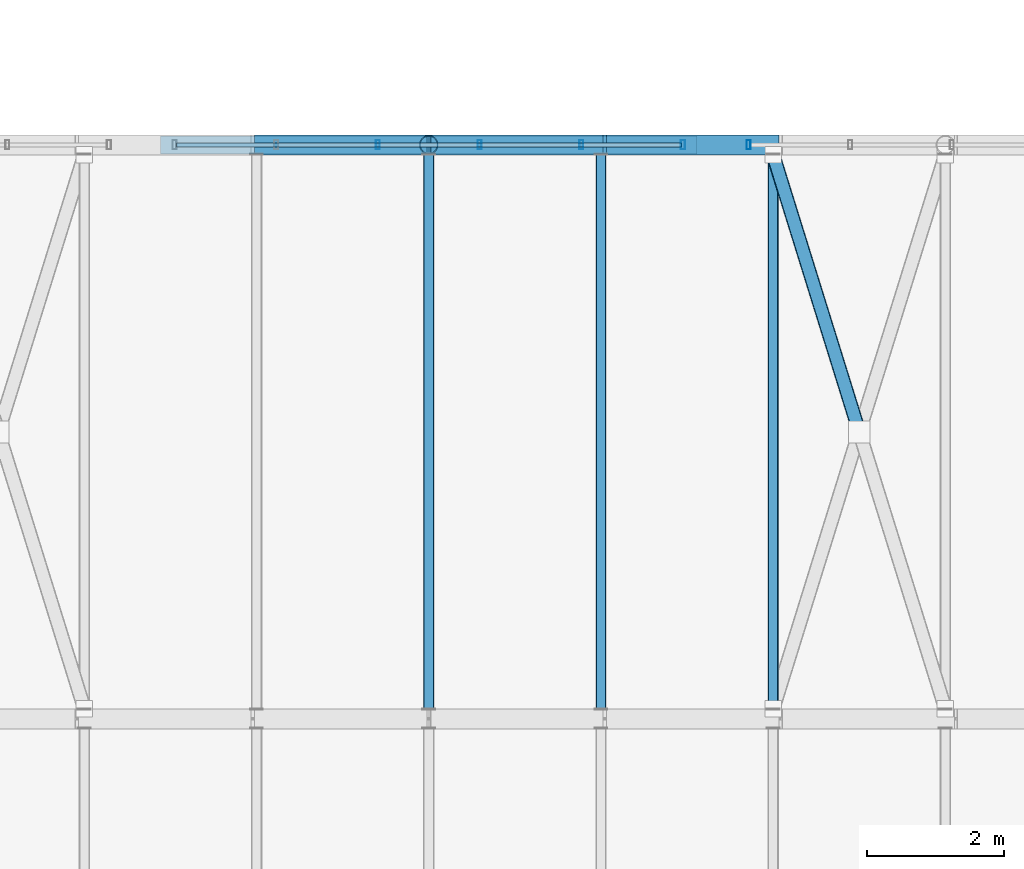
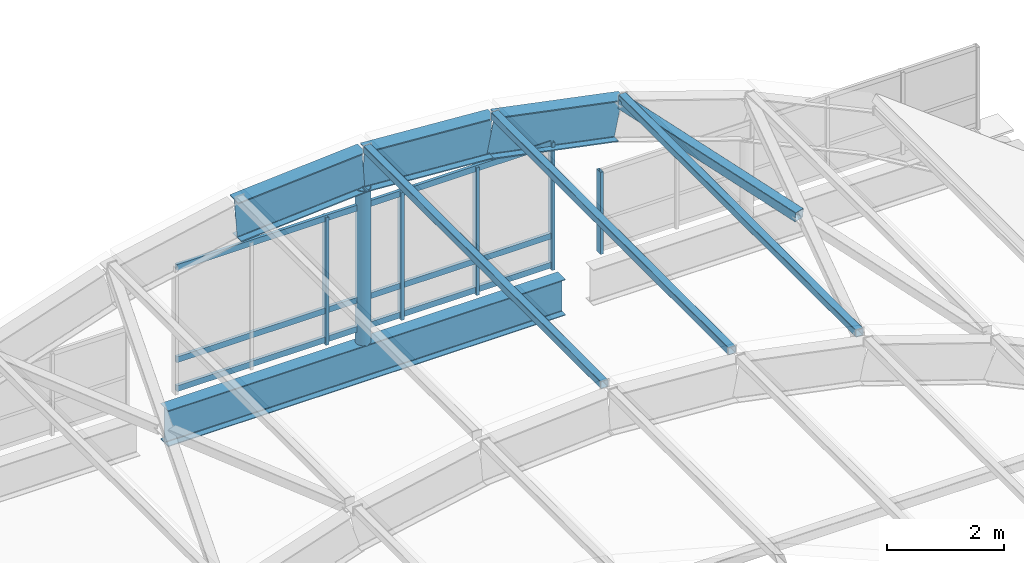
# One storey, part 70 of 107: 13 members, 4 beams, 2 elements without a shape of their own.
"""IFC4 building model written with IfcOpenShell, lengths in metres."""

from ifc_helpers import new_model, si_unit, direction, frame, origin, origin_2d, place, context, subcontext, project, spatial, hollow_rectangle, hollow_circle, i_section, extrude, material, layer, layer_set, material_profile, profile_set, type_object, element, aggregate, save


model = new_model("IFC4")

# Units and contexts
model_context = context("Model", 3, precision=1e-05, world=origin(), true_north=direction((0.0, 1.0)))
body_context = subcontext(model_context, "Body", "Model", "MODEL_VIEW")
ifc_project = project(units=[si_unit("LENGTHUNIT", "METRE"), si_unit("AREAUNIT", "SQUARE_METRE"), si_unit("VOLUMEUNIT", "CUBIC_METRE"), si_unit("PLANEANGLEUNIT", "RADIAN"), si_unit("MASSUNIT", "GRAM", prefix="KILO")], contexts=[model_context])

# Site, building, storey
site_placement = place(None, origin())
site = spatial("IfcSite", under=ifc_project, at=site_placement, CompositionType="ELEMENT")
building_placement = place(site_placement, origin())
building = spatial("IfcBuilding", under=site, at=building_placement, Name="Vireocrest Preparatory School", CompositionType="ELEMENT")
storey_placement = place(building_placement, frame((0.0, 0.0, 13.199951171875)))
storey = spatial("IfcBuildingStorey", under=building, at=storey_placement, Name="L03", CompositionType="ELEMENT", Elevation=13.199951171875)

# Beams
ifc_material_1 = material(Name="Structural steel ASTM A992 Grade 50", Category="steel")
ifc_material_profile_1 = material_profile(ifc_material_1, i_section(OverallWidth=0.2919921875, OverallDepth=0.841064453125, WebThickness=0.0146484375, FlangeThickness=0.021728515625, FilletRadius=0.02001953125, at=origin_2d()), Name="W33X130")
ifc_profile_set_1 = profile_set([ifc_material_profile_1], Name="Structural steel ASTM A992 Grade 50")
beam_type_1 = type_object("IfcBeamType", Name="Assembly Hall Barrel Vault Arch Rib W33X130", PredefinedType="BEAM", material=ifc_profile_set_1)
for number, where, z_axis, x_axis, name in (
    (1, (152.8798828125, 52.199951171875, 3.227783203125), (0.997535619159, 0.0, 0.07016187362), (0.0, 1.0, 0.0), "Assembly Hall Barrel Vault Roof Arch Rib 5 Seg 5"),
    (2, (155.39990234375, 52.199951171875, 3.405029296875), (0.997535619159, 0.0, -0.07016187362), (0.0, 1.0, 0.0), "Assembly Hall Barrel Vault Roof Arch Rib 5 Seg 6"),
):
    element("IfcBeam", number, at=place(storey_placement, frame(where, z_axis=z_axis, x_axis=x_axis)), inside=storey, type_object=beam_type_1, Name=name, PredefinedType="BEAM", context=body_context, shape_type="SweptSolid", body=[
        extrude(i_section(OverallWidth=0.2919921875, OverallDepth=0.841064453125, WebThickness=0.0146484375, FlangeThickness=0.021728515625, FilletRadius=0.02001953125, at=origin_2d()), origin(), (0.0, 0.0, 1.0), 2.5263671875),
    ])
beam_1_placement = place(storey_placement, frame((157.919921875, 52.199951171875, 3.220458984375), z_axis=(0.979999472213, 0.0, -0.199000086588), x_axis=(0.0, 1.0, 0.0)))
element("IfcBeam", 3, at=beam_1_placement, inside=storey, type_object=beam_type_1, Name="Assembly Hall Barrel Vault Roof Arch Rib 5 Seg 7", PredefinedType="BEAM", context=body_context, shape_type="SweptSolid", body=[
    extrude(i_section(OverallWidth=0.2919921875, OverallDepth=0.841064453125, WebThickness=0.0146484375, FlangeThickness=0.021728515625, FilletRadius=0.02001953125, at=origin_2d()), origin(), (0.0, 0.0, 1.0), 2.571533203125),
])
ifc_material_profile_2 = material_profile(ifc_material_1, i_section(OverallWidth=0.264892578125, OverallDepth=0.7529296875, WebThickness=0.01318359375, FlangeThickness=0.01708984375, FilletRadius=0.01904296875, at=origin_2d()), Name="W30X99")
ifc_profile_set_2 = profile_set([ifc_material_profile_2], Name="Structural steel ASTM A992 Grade 50")
beam_type_2 = type_object("IfcBeamType", Name="Assembly Hall Vault Ring Beam W30X99", PredefinedType="BEAM", material=ifc_profile_set_2)
beam_2_placement = place(storey_placement, frame((151.47509765625, 52.199951171875, -0.596435546875), z_axis=(1.0, 0.0, 0.0), x_axis=(0.0, 1.0, 0.0)))
element("IfcBeam", 4, at=beam_2_placement, inside=storey, type_object=beam_type_2, Name="Assembly Hall Barrel Vault Roof Gable Ring Beam N-2", PredefinedType="BEAM", context=body_context, shape_type="SweptSolid", body=[
    extrude(i_section(OverallWidth=0.264892578125, OverallDepth=0.7529296875, WebThickness=0.01318359375, FlangeThickness=0.01708984375, FilletRadius=0.01904296875, at=origin_2d()), origin(), (0.0, 0.0, 1.0), 7.849853515625),
])

# Members
ifc_material_2 = material(Name="Structural steel ASTM A500 Grade C", Category="steel")
ifc_material_profile_3 = material_profile(ifc_material_2, hollow_rectangle(XDim=0.15234375, YDim=0.15234375, WallThickness=0.0087890625, InnerFilletRadius=0.0087890625, OuterFilletRadius=0.017822265625, at=origin_2d()), Name="HSS6X6X3/8")
ifc_profile_set_3 = profile_set([ifc_material_profile_3], Name="Structural steel ASTM A500 Grade C")
member_type_1 = type_object("IfcMemberType", Name="Barrel Vault Steel Purlin HSS6X6X3/8", PredefinedType="PURLIN", material=ifc_profile_set_3)
for number, where, z_axis, x_axis, name in (
    (5, (155.39990234375, 43.94091796875, 3.890869140625), (0.0, 1.0, 0.0), (-1.0, 0.0, 0.0), "Assembly Hall Barrel Vault Roof Purlin 4-6"),
    (6, (157.919921875, 43.94091796875, 3.71337890625), (0.0, 1.0, 0.0), (-1.0, 0.0, 0.0), "Assembly Hall Barrel Vault Roof Purlin 4-7"),
    (7, (160.43994140625, 43.94091796875, 3.20166015625), (0.0, 1.0, 0.0), (-1.0, 0.0, 0.0), "Assembly Hall Barrel Vault Roof Purlin 4-8"),
):
    element("IfcMember", number, at=place(storey_placement, frame(where, z_axis=z_axis, x_axis=x_axis)), inside=storey, type_object=member_type_1, Name=name, PredefinedType="PURLIN", context=body_context, shape_type="SweptSolid", body=[
        extrude(hollow_rectangle(XDim=0.15234375, YDim=0.15234375, WallThickness=0.0087890625, InnerFilletRadius=0.0087890625, OuterFilletRadius=0.017822265625, at=origin_2d()), origin(), (0.0, 0.0, 1.0), 8.1181640625),
    ])

# Curtain wall, members
ifc_material_3 = material(Name="Thermally broken aluminium EN AW-6063-T6", Category="aluminium")
ifc_layer_1 = layer(ifc_material_3, 0.179931640625)
ifc_layer_set_1 = layer_set([ifc_layer_1], Name="Thermally broken aluminium EN AW-6063-T6")
curtain_wall_type_1 = type_object("IfcCurtainWallType", Name="Vault Centre Gable Clerestory 8400x3800", PredefinedType="USERDEFINED", material=ifc_layer_set_1)
curtain_wall_1_placement = place(storey_placement, origin())
curtain_wall_1 = element("IfcCurtainWall", 8, at=curtain_wall_1_placement, inside=storey, type_object=curtain_wall_type_1, Name="Curtain Wall CW14 CW_L03_CW14_1516_0522_132", ObjectType="CURTAIN WALL", PredefinedType="USERDEFINED")
ifc_material_profile_4 = material_profile(ifc_material_3, hollow_rectangle(XDim=0.06005859375, YDim=0.135009765625, WallThickness=0.00390625, at=origin_2d()), Name="ALU 60x135x4")
ifc_profile_set_4 = profile_set([ifc_material_profile_4], Name="Thermally broken aluminium EN AW-6063-T6")
member_type_2 = type_object("IfcMemberType", Name="CW Clerestory Mullion 60x135x4", PredefinedType="MULLION", material=ifc_profile_set_4)
member_1_placement = place(storey_placement, frame((154.656005859375, 52.199951171875, 0.0), z_axis=(0.0, 0.0, 1.0), x_axis=(1.0, 0.0, 0.0)))
member_1 = element("IfcMember", 9, at=member_1_placement, type_object=member_type_2, Name="CW Mullion ML6 CW_L03_CW14_1516_0522_132-3", PredefinedType="MULLION", context=body_context, shape_type="SweptSolid", body=[
    extrude(hollow_rectangle(XDim=0.06005859375, YDim=0.135009765625, WallThickness=0.00390625, at=origin_2d()), origin(), (0.0, 0.0, 1.0), 2.6650390625),
])
member_2_placement = place(storey_placement, frame((156.14404296875, 52.199951171875, 0.0), z_axis=(0.0, 0.0, 1.0), x_axis=(1.0, 0.0, 0.0)))
member_2 = element("IfcMember", 10, at=member_2_placement, type_object=member_type_2, Name="CW Mullion ML6 CW_L03_CW14_1516_0522_132-4", PredefinedType="MULLION", context=body_context, shape_type="SweptSolid", body=[
    extrude(hollow_rectangle(XDim=0.06005859375, YDim=0.135009765625, WallThickness=0.00390625, at=origin_2d()), origin(), (0.0, 0.0, 1.0), 2.6650390625),
])
member_3_placement = place(storey_placement, frame((157.632080078125, 52.199951171875, 0.0), z_axis=(0.0, 0.0, 1.0), x_axis=(1.0, 0.0, 0.0)))
member_3 = element("IfcMember", 11, at=member_3_placement, type_object=member_type_2, Name="CW Mullion ML6 CW_L03_CW14_1516_0522_132-5", PredefinedType="MULLION", context=body_context, shape_type="SweptSolid", body=[
    extrude(hollow_rectangle(XDim=0.06005859375, YDim=0.135009765625, WallThickness=0.00390625, at=origin_2d()), origin(), (0.0, 0.0, 1.0), 2.6650390625),
])
member_4_placement = place(storey_placement, frame((159.1201171875, 52.199951171875, 0.0), z_axis=(0.0, 0.0, 1.0), x_axis=(1.0, 0.0, 0.0)))
member_4 = element("IfcMember", 12, at=member_4_placement, type_object=member_type_2, Name="CW Mullion ML6 CW_L03_CW14_1516_0522_132-6", PredefinedType="MULLION", context=body_context, shape_type="SweptSolid", body=[
    extrude(hollow_rectangle(XDim=0.06005859375, YDim=0.135009765625, WallThickness=0.00390625, at=origin_2d()), origin(), (0.0, 0.0, 1.0), 2.6650390625),
])

# Curtain wall, member
ifc_layer_2 = layer(ifc_material_3, 0.179931640625)
ifc_layer_set_2 = layer_set([ifc_layer_2], Name="Thermally broken aluminium EN AW-6063-T6")
curtain_wall_type_2 = type_object("IfcCurtainWallType", Name="Vault Gable Clerestory 8400x2600", PredefinedType="USERDEFINED", material=ifc_layer_set_2)
curtain_wall_2_placement = place(storey_placement, origin())
curtain_wall_2 = element("IfcCurtainWall", 13, at=curtain_wall_2_placement, inside=storey, type_object=curtain_wall_type_2, Name="Curtain Wall CW13 CW_L03_CW13_1600_0522_132", ObjectType="CURTAIN WALL", PredefinedType="USERDEFINED")
member_5_placement = place(storey_placement, frame((160.080078125, 52.199951171875, 0.0), z_axis=(0.0, 0.0, 1.0), x_axis=(1.0, 0.0, 0.0)))
member_5 = element("IfcMember", 14, at=member_5_placement, type_object=member_type_2, Name="CW Mullion ML6 CW_L03_CW13_1600_0522_132-1", PredefinedType="MULLION", context=body_context, shape_type="SweptSolid", body=[
    extrude(hollow_rectangle(XDim=0.06005859375, YDim=0.135009765625, WallThickness=0.00390625, at=origin_2d()), origin(), (0.0, 0.0, 1.0), 1.715087890625),
])
aggregate(curtain_wall_2, [member_5])

# Member
ifc_material_profile_5 = material_profile(ifc_material_3, hollow_rectangle(XDim=0.06005859375, YDim=0.125, WallThickness=0.00390625, at=origin_2d()), Name="ALU 60x125x4")
ifc_profile_set_5 = profile_set([ifc_material_profile_5], Name="Thermally broken aluminium EN AW-6063-T6")
member_type_3 = type_object("IfcMemberType", Name="CW Clerestory Transom 60x125x4", PredefinedType="USERDEFINED", material=ifc_profile_set_5)
member_6_placement = place(storey_placement, frame((151.705078125, 52.199951171875, 0.094970703125), z_axis=(1.0, 0.0, 0.0), x_axis=(0.0, 1.0, 0.0)))
member_6 = element("IfcMember", 15, at=member_6_placement, type_object=member_type_3, Name="CW Transom TR6 CW_L03_CW14_1516_0522_132-1", ObjectType="TRANSOM", PredefinedType="USERDEFINED", context=body_context, shape_type="SweptSolid", body=[
    extrude(hollow_rectangle(XDim=0.06005859375, YDim=0.125, WallThickness=0.00390625, at=origin_2d()), origin(), (0.0, 0.0, 1.0), 7.389892578125),
])

member_7_placement = place(storey_placement, frame((151.705078125, 52.199951171875, 0.699951171875), z_axis=(1.0, 0.0, 0.0), x_axis=(0.0, 1.0, 0.0)))
member_7 = element("IfcMember", 16, at=member_7_placement, type_object=member_type_3, Name="CW Transom TR6 CW_L03_CW14_1516_0522_132-2", ObjectType="TRANSOM", PredefinedType="USERDEFINED", context=body_context, shape_type="SweptSolid", body=[
    extrude(hollow_rectangle(XDim=0.06005859375, YDim=0.125, WallThickness=0.00390625, at=origin_2d()), origin(), (0.0, 0.0, 1.0), 7.389892578125),
])

member_8_placement = place(storey_placement, frame((151.705078125, 52.199951171875, 2.625), z_axis=(1.0, 0.0, 0.0), x_axis=(0.0, 1.0, 0.0)))
member_8 = element("IfcMember", 17, at=member_8_placement, type_object=member_type_3, Name="CW Transom TR6 CW_L03_CW14_1516_0522_132-3", ObjectType="TRANSOM", PredefinedType="USERDEFINED", context=body_context, shape_type="SweptSolid", body=[
    extrude(hollow_rectangle(XDim=0.06005859375, YDim=0.125, WallThickness=0.00390625, at=origin_2d()), origin(), (0.0, 0.0, 1.0), 7.389892578125),
])

aggregate(curtain_wall_1, [member_1, member_2, member_3, member_4, member_6, member_7, member_8])

# Members
ifc_material_profile_6 = material_profile(ifc_material_2, hollow_rectangle(XDim=0.203125, YDim=0.203125, WallThickness=0.0087890625, InnerFilletRadius=0.0087890625, OuterFilletRadius=0.017822265625, at=origin_2d()), Name="HSS8X8X3/8")
ifc_profile_set_6 = profile_set([ifc_material_profile_6], Name="Structural steel ASTM A500 Grade C")
member_type_4 = type_object("IfcMemberType", Name="Vault Roof Wind X-Brace HSS8X8X3/8", PredefinedType="BRACE", material=ifc_profile_set_6)
member_9_placement = place(storey_placement, frame((160.43994140625, 52.053955078125, 3.09716796875), z_axis=(0.295388751791, -0.950332437068, -0.098049703582), x_axis=(0.954933767345, 0.29681896837, 0.0)))
element("IfcMember", 18, at=member_9_placement, inside=storey, type_object=member_type_4, Name="Assembly Hall Barrel Vault Roof Split Roof X-Brace 4-8-1", PredefinedType="BRACE", context=body_context, shape_type="SweptSolid", body=[
    extrude(hollow_rectangle(XDim=0.203125, YDim=0.203125, WallThickness=0.0087890625, InnerFilletRadius=0.0087890625, OuterFilletRadius=0.017822265625, at=origin_2d()), origin(), (0.0, 0.0, 1.0), 4.1357421875),
])
ifc_material_4 = material(Name="Painted white steel ASTM A500 Grade C", Category="steel")
ifc_material_profile_7 = material_profile(ifc_material_4, hollow_circle(Radius=0.136474609375, WallThickness=0.0126953125, at=origin_2d()), Name="HSS10.750X0.500")
ifc_profile_set_7 = profile_set([ifc_material_profile_7], Name="Painted white steel ASTM A500 Grade C")
member_type_5 = type_object("IfcMemberType", Name="White Steel Clerestory Strut HSS10.750X0.500", PredefinedType="USERDEFINED", material=ifc_profile_set_7)
member_10_placement = place(storey_placement, frame((155.39990234375, 52.199951171875, -0.239990234375), z_axis=(0.0, 0.0, 1.0), x_axis=(1.0, 0.0, 0.0)))
element("IfcMember", 19, at=member_10_placement, inside=storey, type_object=member_type_5, Name="Assembly Hall Barrel Vault Roof Gable Mullion Post 5-5", ObjectType="STRUT", PredefinedType="USERDEFINED", context=body_context, shape_type="SweptSolid", body=[
    extrude(hollow_circle(Radius=0.136474609375, WallThickness=0.0126953125, at=origin_2d()), origin(), (0.0, 0.0, 1.0), 3.24462890625),
])

save(model, "model.ifc")
